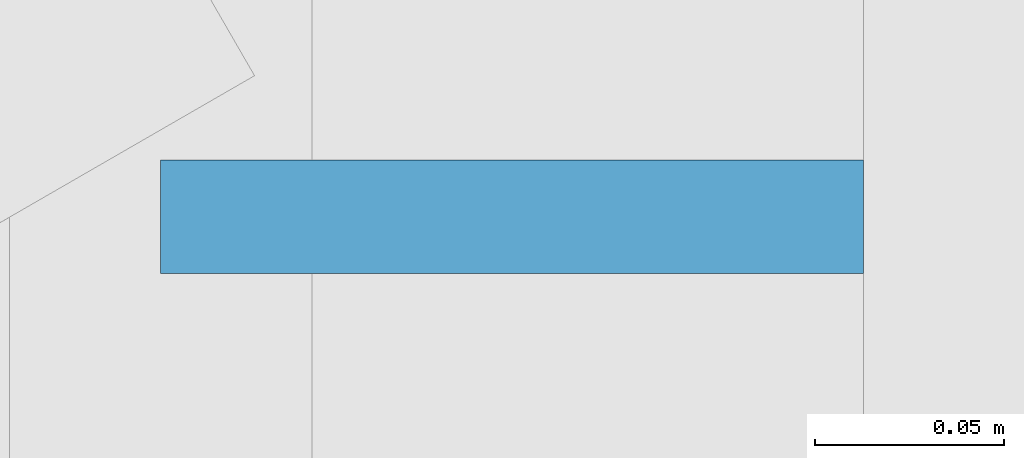
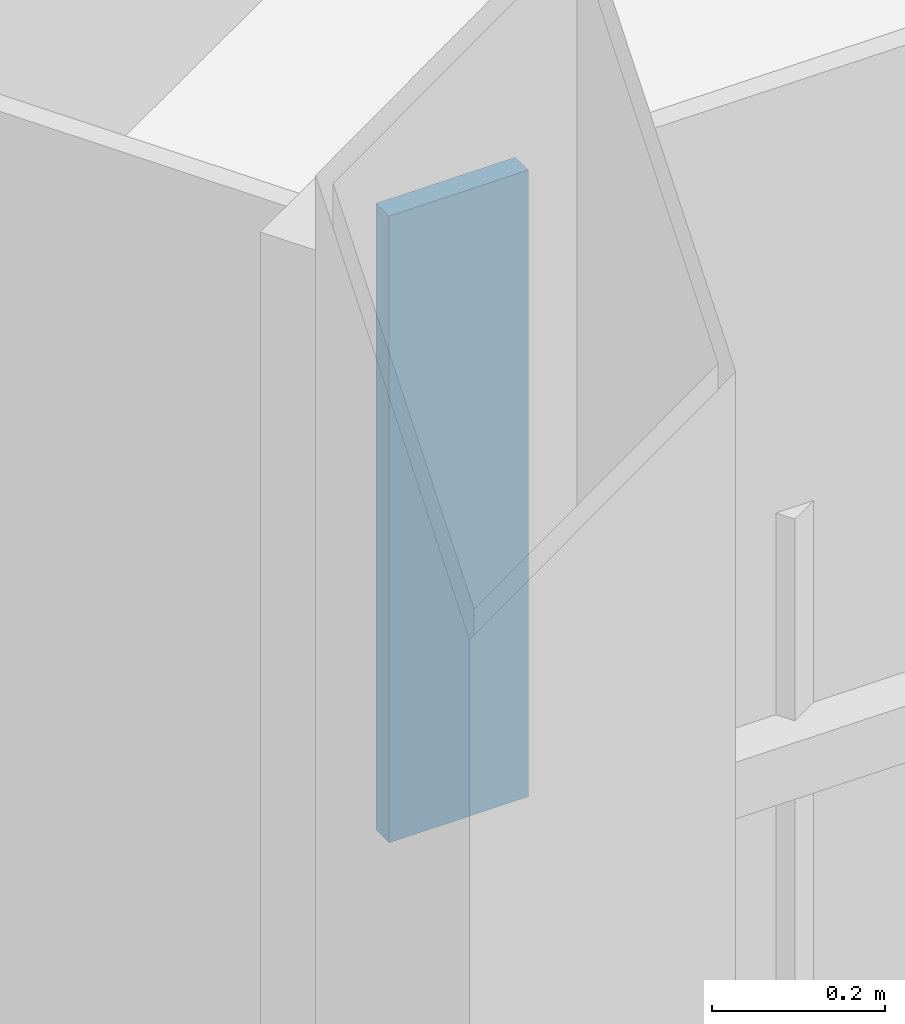
# One storey, part 14 of 21: 1 plate, 1 element without a shape of its own.
"""IFC4 building model written with IfcOpenShell, lengths in metres."""

from ifc_helpers import new_model, si_unit, direction, frame, origin, place, context, subcontext, project, spatial, polyline, outline, extrude, material, layer, layer_set, type_object, element, aggregate, save


model = new_model("IFC4")

# Units and contexts
model_context = context("Model", 3, precision=1e-05, world=origin(), true_north=direction((0.0, 1.0)))
body_context = subcontext(model_context, "Body", "Model", "MODEL_VIEW")
ifc_project = project(units=[si_unit("LENGTHUNIT", "METRE"), si_unit("AREAUNIT", "SQUARE_METRE"), si_unit("VOLUMEUNIT", "CUBIC_METRE"), si_unit("PLANEANGLEUNIT", "RADIAN"), si_unit("MASSUNIT", "GRAM", prefix="KILO")], contexts=[model_context])

# Site, building, storey
site_placement = place(None, origin())
site = spatial("IfcSite", under=ifc_project, at=site_placement, CompositionType="ELEMENT")
building_placement = place(site_placement, origin())
building = spatial("IfcBuilding", under=site, at=building_placement, Name="Firuza Gate Tower and Library", CompositionType="ELEMENT")
storey_placement = place(building_placement, frame((0.0, 0.0, 281.10009765625)))
storey = spatial("IfcBuildingStorey", under=building, at=storey_placement, Name="L67", CompositionType="ELEMENT", Elevation=281.10009765625)

# Curtain wall, plate
ifc_material_1 = material(Name="Aluminium 6063-T6", Category="aluminium")
ifc_layer_1 = layer(ifc_material_1, 0.14990234375)
ifc_layer_set_1 = layer_set([ifc_layer_1], Name="Unitised curtain wall, residences")
curtain_wall_type = type_object("IfcCurtainWallType", Name="Unitised curtain wall, residences", PredefinedType="NOTDEFINED", material=ifc_layer_set_1)
curtain_wall_placement = place(storey_placement, origin())
curtain_wall = element("IfcCurtainWall", 1, at=curtain_wall_placement, inside=storey, type_object=curtain_wall_type, Name="CW3 L67 S face", PredefinedType="NOTDEFINED")
ifc_material_2 = material(Name="Glazed ceramic tile")
ifc_layer_2 = layer(ifc_material_2, 0.030029296875)
ifc_layer_set_2 = layer_set([ifc_layer_2], Name="Opaque ceramic panel, residences")
plate_type = type_object("IfcPlateType", Name="Opaque ceramic panel, residences", PredefinedType="CURTAIN_PANEL", material=ifc_layer_set_2)
plate_placement = place(storey_placement, frame((52.634033203125, 57.842041015625, 2.414794921875), z_axis=(0.0, -1.0, 0.0), x_axis=(1.0, 0.0, 0.0)))
plate = element("IfcPlate", 2, at=plate_placement, type_object=plate_type, Name="Opaque ceramic panel", PredefinedType="CURTAIN_PANEL", context=body_context, shape_type="SweptSolid", body=[
    extrude(outline(polyline([(0.0, 0.0), (0.18603515625, 0.0), (0.18603515625, 0.885009765625), (0.0, 0.885009765625), (0.0, 0.0)])), origin(), (0.0, 0.0, -1.0), 0.030029296875),
])
aggregate(curtain_wall, [plate])

save(model, "model.ifc")
